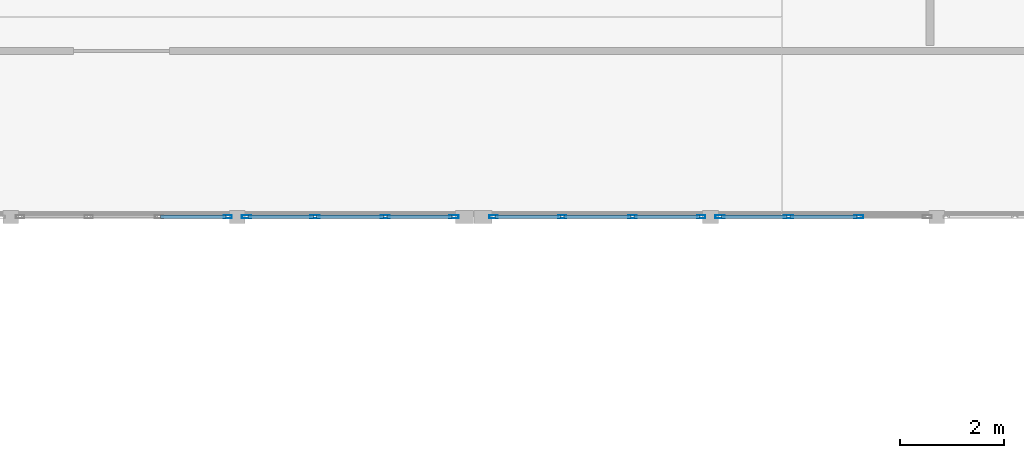
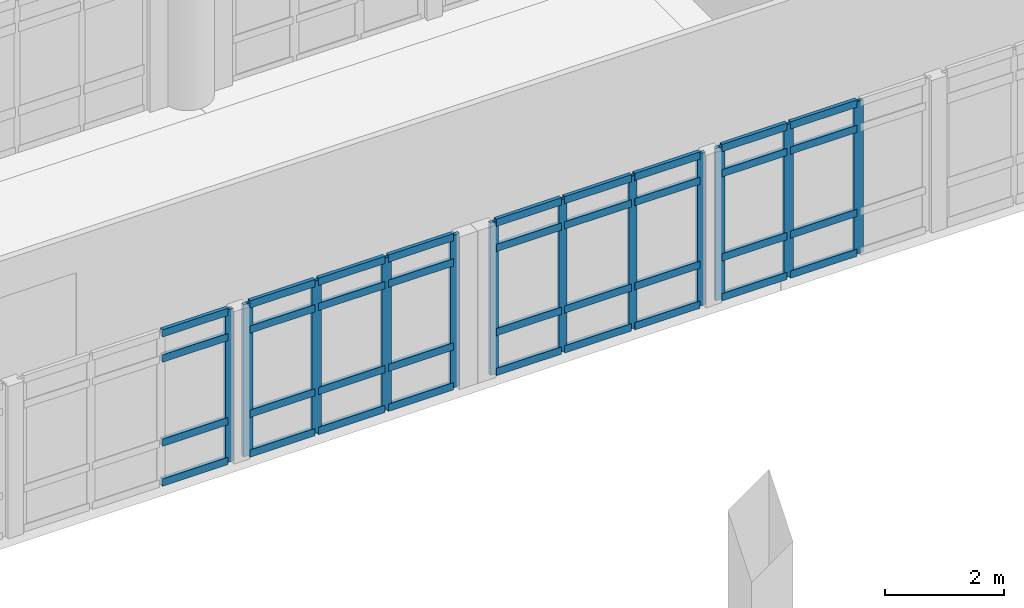
# One storey, part 13 of 37: 48 members, 4 elements without a shape of their own.
"""IFC4 building model written with IfcOpenShell, lengths in metres."""

import ifcopenshell
import ifcopenshell.guid

model = None  # the IFC model being written
_history = None  # IfcOwnerHistory: only IFC2X3 demands one
_inside = {}  # id of a spatial element -> (the spatial element, [elements in it])
_under = {}  # id of a project, library or spatial element -> (it, [spatial elements below it])
_declared = {}  # id of a project -> (the project, [libraries it declares])
_typed = {}  # id of a type object -> (the type object, [elements of that type])
_made_of = {}  # id of a material, layer set ... -> (it, [elements and type objects made of it])


def new_model(schema):
    """Start an empty IFC model of exactly this schema.

    Asked for "IFC4X3", IfcOpenShell would pick the latest addendum, in which some entities
    have other attributes; the version numbers below select the first issue.
    IFC2X3 requires an IfcOwnerHistory on every rooted entity: one is made here for all.
    """
    global model, _history
    if schema == "IFC4X3":
        model = ifcopenshell.file(schema_version=(4, 3, 0, 0))
    else:
        model = ifcopenshell.file(schema=schema)
    _inside.clear()
    _under.clear()
    _declared.clear()
    _typed.clear()
    _made_of.clear()
    _history = None
    if model.schema == "IFC2X3":
        org = make("IfcOrganization", Name="unknown")
        user = make(
            "IfcPersonAndOrganization",
            ThePerson=make("IfcPerson", FamilyName="unknown"),
            TheOrganization=org,
        )
        app = make(
            "IfcApplication",
            ApplicationDeveloper=org,
            Version="unknown",
            ApplicationFullName="unknown",
            ApplicationIdentifier="unknown",
        )
        _history = make(
            "IfcOwnerHistory",
            OwningUser=user,
            OwningApplication=app,
            ChangeAction="ADDED",
            CreationDate=0,
        )
    return model


def make(cls, **values):
    """One entity of the class cls with the attributes given. An attribute that is None is left unset."""
    return model.create_entity(
        cls, **{name: value for name, value in values.items() if value is not None}
    )


def rooted(cls, **values):
    """An entity with a GlobalId (a new one), such as an element, a storey or a relation."""
    return make(cls, GlobalId=ifcopenshell.guid.new(), OwnerHistory=_history, **values)


def si_unit(unit_type, name, prefix=None):
    """IfcSIUnit, for example si_unit("LENGTHUNIT", "METRE", prefix="MILLI")."""
    return make("IfcSIUnit", UnitType=unit_type, Prefix=prefix, Name=name)


def assignment(units):
    """IfcUnitAssignment: the units of a project."""
    return None if units is None else make("IfcUnitAssignment", Units=units)


def point(xyz):
    """IfcCartesianPoint."""
    return None if xyz is None else make("IfcCartesianPoint", Coordinates=xyz)


def direction(xyz):
    """IfcDirection."""
    return None if xyz is None else make("IfcDirection", DirectionRatios=xyz)


def frame(location, z_axis=None, x_axis=None):
    """IfcAxis2Placement3D, a coordinate frame: its origin and axes. An axis left out is left unset."""
    return make(
        "IfcAxis2Placement3D",
        Location=point(location),
        Axis=direction(z_axis),
        RefDirection=direction(x_axis),
    )


def frame_2d(location, x_axis=None):
    """IfcAxis2Placement2D, a coordinate frame in the plane: its origin and x axis."""
    return make(
        "IfcAxis2Placement2D", Location=point(location), RefDirection=direction(x_axis)
    )


def origin():
    """The frame at (0, 0, 0) with its axes left unset."""
    return frame((0.0, 0.0, 0.0))


def origin_2d():
    """The frame at (0, 0) in the plane with its x axis left unset."""
    return frame_2d((0.0, 0.0))


def place(relative_to, where):
    """IfcLocalPlacement: puts the frame where relative to a parent placement (None: the world)."""
    return make(
        "IfcLocalPlacement", PlacementRelTo=relative_to, RelativePlacement=where
    )


def context(
    kind, dimensions, precision=None, world=None, true_north=None, identifier=None
):
    """IfcGeometricRepresentationContext, for example the 3D "Model" context."""
    return make(
        "IfcGeometricRepresentationContext",
        ContextIdentifier=identifier,
        ContextType=kind,
        CoordinateSpaceDimension=dimensions,
        Precision=precision,
        WorldCoordinateSystem=world,
        TrueNorth=true_north,
    )


def subcontext(parent, identifier, kind, view, scale=None):
    """IfcGeometricRepresentationSubContext, for example "Body" below "Model"."""
    return make(
        "IfcGeometricRepresentationSubContext",
        ContextIdentifier=identifier,
        ContextType=kind,
        ParentContext=parent,
        TargetScale=scale,
        TargetView=view,
    )


def project(units=None, contexts=None):
    """IfcProject with its units and contexts."""
    return rooted(
        "IfcProject",
        Name="project",
        RepresentationContexts=contexts,
        UnitsInContext=assignment(units),
    )


def spatial(cls, under=None, at=None, **own):
    """A site, building, storey or space (cls), placed at a placement, below another one or the project."""
    s = rooted(cls, ObjectPlacement=at, **own)
    if under is not None:
        _under.setdefault(under.id(), (under, []))[1].append(s)
    return s


def profile(cls, at=None, kind="AREA", **sizes):
    """A parametric profile (cls). Its sizes go by their IFC names, for example OverallWidth=200.0."""
    return make(cls, ProfileType=kind, Position=at, **sizes)


def hollow_rectangle(**sizes):
    """IfcRectangleHollowProfileDef."""
    return profile("IfcRectangleHollowProfileDef", **sizes)


def extrude(swept, where, along, depth):
    """IfcExtrudedAreaSolid: the profile swept, set in the frame where, extruded along a direction by depth."""
    return make(
        "IfcExtrudedAreaSolid",
        SweptArea=swept,
        Position=where,
        ExtrudedDirection=direction(along),
        Depth=depth,
    )


def shape(context_of_items, identifier, shape_type, items):
    """IfcShapeRepresentation: the items that make up one representation, for example the "Body"."""
    return make(
        "IfcShapeRepresentation",
        ContextOfItems=context_of_items,
        RepresentationIdentifier=identifier,
        RepresentationType=shape_type,
        Items=items,
    )


def material(Name=None, Category=None):
    """IfcMaterial."""
    return make("IfcMaterial", Name=Name, Category=Category)


def layer(
    of_material, thickness, ventilated=None, Name=None, Category=None, Priority=None
):
    """IfcMaterialLayer: one layer of a wall or slab, of a material (None: an air gap)."""
    return make(
        "IfcMaterialLayer",
        Material=of_material,
        LayerThickness=thickness,
        IsVentilated=ventilated,
        Name=Name,
        Category=Category,
        Priority=Priority,
    )


def layer_set(layers, Name=None):
    """IfcMaterialLayerSet."""
    return make("IfcMaterialLayerSet", MaterialLayers=layers, LayerSetName=Name)


def material_profile(
    of_material, cross_section, Name=None, Category=None, Priority=None
):
    """IfcMaterialProfile: a cross section and its material."""
    return make(
        "IfcMaterialProfile",
        Name=Name,
        Material=of_material,
        Profile=cross_section,
        Priority=Priority,
        Category=Category,
    )


def profile_set(profiles, Name=None, composite=None):
    """IfcMaterialProfileSet."""
    return make(
        "IfcMaterialProfileSet",
        Name=Name,
        MaterialProfiles=profiles,
        CompositeProfile=composite,
    )


def made_of(thing, what):
    """Note that an element or type object is made of a material, layer set ...; save() writes the relation."""
    if what is not None:
        _made_of.setdefault(what.id(), (what, []))[1].append(thing)
    return thing


def type_object(cls, material=None, **own):
    """A type object (cls), such as IfcWallType, which elements share."""
    return made_of(rooted(cls, **own), material)


def element(
    cls,
    number,
    at=None,
    inside=None,
    cuts=None,
    type_object=None,
    material=None,
    context=None,
    identifier="Body",
    shape_type=None,
    held_by="IfcProductDefinitionShape",
    body=None,
    shapes=None,
    **own,
):
    """One element of the class cls, such as IfcWall. Its Tag is "e" and its number.

    at: its placement. inside: the storey or other place that contains it. cuts: it is an
    opening in that element (IfcRelVoidsElement). A single representation is given by context,
    identifier, shape_type and body (its items); several are given by shapes. held_by: the class
    of the entity that holds the representations. save() writes the other relations.
    """
    e = rooted(cls, Tag="e%d" % number, ObjectPlacement=at, **own)
    if body is not None:
        shapes = [shape(context, identifier, shape_type, body)]
    if shapes is not None:
        e.Representation = make(held_by, Representations=shapes)
    if inside is not None:
        _inside.setdefault(inside.id(), (inside, []))[1].append(e)
    if cuts is not None:
        rooted(
            "IfcRelVoidsElement", RelatingBuildingElement=cuts, RelatedOpeningElement=e
        )
    if type_object is not None:
        _typed.setdefault(type_object.id(), (type_object, []))[1].append(e)
    return made_of(e, material)


def aggregate(whole, parts):
    """IfcRelAggregates: a whole, such as a stair, and the parts it consists of."""
    return rooted("IfcRelAggregates", RelatingObject=whole, RelatedObjects=parts)


def save(model, path):
    """Write the relations noted so far, then the file.

    IfcRelAggregates (storeys below a building ...), IfcRelContainedInSpatialStructure (elements
    in a storey), IfcRelDefinesByType, IfcRelAssociatesMaterial and IfcRelDeclares: one each for
    every whole, place, type object, material and project.
    """
    for whole, parts in _under.values():
        aggregate(whole, parts)
    for where, things in _inside.values():
        rooted(
            "IfcRelContainedInSpatialStructure",
            RelatedElements=things,
            RelatingStructure=where,
        )
    for kind, things in _typed.values():
        rooted("IfcRelDefinesByType", RelatedObjects=things, RelatingType=kind)
    for what, things in _made_of.values():
        rooted("IfcRelAssociatesMaterial", RelatedObjects=things, RelatingMaterial=what)
    for by, libraries in _declared.values():
        rooted("IfcRelDeclares", RelatingContext=by, RelatedDefinitions=libraries)
    model.write(path)


model = new_model("IFC4")

# Units and contexts
model_context = context("Model", 3, precision=1e-05, world=origin(), true_north=direction((0.0, 1.0)))
body_context = subcontext(model_context, "Body", "Model", "MODEL_VIEW")
ifc_project = project(units=[si_unit("LENGTHUNIT", "METRE"), si_unit("AREAUNIT", "SQUARE_METRE"), si_unit("VOLUMEUNIT", "CUBIC_METRE"), si_unit("PLANEANGLEUNIT", "RADIAN"), si_unit("MASSUNIT", "GRAM", prefix="KILO")], contexts=[model_context])

# Site, building, storey
site_placement = place(None, origin())
site = spatial("IfcSite", under=ifc_project, at=site_placement, CompositionType="ELEMENT")
building_placement = place(site_placement, origin())
building = spatial("IfcBuilding", under=site, at=building_placement, Name="Fikremerkos Civic Library", CompositionType="ELEMENT")
storey_placement = place(building_placement, frame((0.0, 0.0, 23.39990234375)))
storey = spatial("IfcBuildingStorey", under=building, at=storey_placement, Name="L05", CompositionType="ELEMENT", Elevation=23.39990234375)

# Curtain wall, members
ifc_material = material(Name="Anodized aluminium Frame", Category="aluminium")
ifc_layer_1 = layer(ifc_material, 0.159912109375, Name="Anodized aluminium Frame")
ifc_layer_set_1 = layer_set([ifc_layer_1], Name="Anodized aluminium Frame")
curtain_wall_type_1 = type_object("IfcCurtainWallType", Name="Unitised curtain wall CW-17 4600x3600", PredefinedType="USERDEFINED", material=ifc_layer_set_1)
curtain_wall_1_placement = place(storey_placement, origin())
curtain_wall_1 = element("IfcCurtainWall", 1, at=curtain_wall_1_placement, inside=storey, type_object=curtain_wall_type_1, Name="Unitised curtain wall CW-17 L05 #287", ObjectType="UNITISED CURTAIN WALL", PredefinedType="USERDEFINED")
ifc_material_profile_1 = material_profile(ifc_material, hollow_rectangle(XDim=0.06494140625, YDim=0.179931640625, WallThickness=0.00439453125, at=origin_2d()), Name="ALU 180x65x4.5")
ifc_profile_set_1 = profile_set([ifc_material_profile_1], Name="Anodized aluminium Frame")
member_type_1 = type_object("IfcMemberType", Name="Curtain mullion CWM-01 ALU 180x65x4.5", PredefinedType="MULLION", material=ifc_profile_set_1)
member_1_placement = place(storey_placement, frame((80.62744140625, 21.60009765625, 0.0), z_axis=(0.0, 0.0, 1.0), x_axis=(0.0, -1.0, 0.0)))
member_1 = element("IfcMember", 2, at=member_1_placement, type_object=member_type_1, Name="CW-17 mullion 2", PredefinedType="MULLION", context=body_context, shape_type="SweptSolid", body=[
    extrude(hollow_rectangle(XDim=0.06494140625, YDim=0.179931640625, WallThickness=0.00439453125, at=origin_2d()), origin(), (0.0, 0.0, 1.0), 3.1201171875),
])
member_2_placement = place(storey_placement, frame((79.2724609375, 21.60009765625, 0.0), z_axis=(0.0, 0.0, 1.0), x_axis=(0.0, -1.0, 0.0)))
member_2 = element("IfcMember", 3, at=member_2_placement, type_object=member_type_1, Name="CW-17 mullion 3", PredefinedType="MULLION", context=body_context, shape_type="SweptSolid", body=[
    extrude(hollow_rectangle(XDim=0.06494140625, YDim=0.179931640625, WallThickness=0.00439453125, at=origin_2d()), origin(), (0.0, 0.0, 1.0), 3.1201171875),
])
member_3_placement = place(storey_placement, frame((77.949951171875, 21.60009765625, 0.0), z_axis=(0.0, 0.0, 1.0), x_axis=(0.0, -1.0, 0.0)))
member_3 = element("IfcMember", 4, at=member_3_placement, type_object=member_type_1, Name="CW-17 mullion 4", PredefinedType="MULLION", context=body_context, shape_type="SweptSolid", body=[
    extrude(hollow_rectangle(XDim=0.06494140625, YDim=0.179931640625, WallThickness=0.00439453125, at=origin_2d()), origin(), (0.0, 0.0, 1.0), 3.1201171875),
])

ifc_layer_2 = layer(ifc_material, 0.159912109375, Name="Anodized aluminium Frame")
ifc_layer_set_2 = layer_set([ifc_layer_2], Name="Anodized aluminium Frame")
curtain_wall_type_2 = type_object("IfcCurtainWallType", Name="Unitised curtain wall CW-01 3600x3600", PredefinedType="USERDEFINED", material=ifc_layer_set_2)
curtain_wall_2_placement = place(storey_placement, origin())
curtain_wall_2 = element("IfcCurtainWall", 5, at=curtain_wall_2_placement, inside=storey, type_object=curtain_wall_type_2, Name="Unitised curtain wall CW-01 L05 #289", ObjectType="UNITISED CURTAIN WALL", PredefinedType="USERDEFINED")
member_4_placement = place(storey_placement, frame((72.8154296875, 21.60009765625, 0.0), z_axis=(0.0, 0.0, 1.0), x_axis=(0.0, -1.0, 0.0)))
member_4 = element("IfcMember", 6, at=member_4_placement, type_object=member_type_1, Name="CW-01 mullion 1", PredefinedType="MULLION", context=body_context, shape_type="SweptSolid", body=[
    extrude(hollow_rectangle(XDim=0.06494140625, YDim=0.179931640625, WallThickness=0.00439453125, at=origin_2d()), origin(), (0.0, 0.0, 1.0), 3.1201171875),
])
member_5_placement = place(storey_placement, frame((71.492919921875, 21.60009765625, 0.0), z_axis=(0.0, 0.0, 1.0), x_axis=(0.0, -1.0, 0.0)))
member_5 = element("IfcMember", 7, at=member_5_placement, type_object=member_type_1, Name="CW-01 mullion 2", PredefinedType="MULLION", context=body_context, shape_type="SweptSolid", body=[
    extrude(hollow_rectangle(XDim=0.06494140625, YDim=0.179931640625, WallThickness=0.00439453125, at=origin_2d()), origin(), (0.0, 0.0, 1.0), 3.1201171875),
])
member_6_placement = place(storey_placement, frame((70.1376953125, 21.60009765625, 0.0), z_axis=(0.0, 0.0, 1.0), x_axis=(0.0, -1.0, 0.0)))
member_6 = element("IfcMember", 8, at=member_6_placement, type_object=member_type_1, Name="CW-01 mullion 3", PredefinedType="MULLION", context=body_context, shape_type="SweptSolid", body=[
    extrude(hollow_rectangle(XDim=0.06494140625, YDim=0.179931640625, WallThickness=0.00439453125, at=origin_2d()), origin(), (0.0, 0.0, 1.0), 3.1201171875),
])
member_7_placement = place(storey_placement, frame((68.815185546875, 21.60009765625, 0.0), z_axis=(0.0, 0.0, 1.0), x_axis=(0.0, -1.0, 0.0)))
member_7 = element("IfcMember", 9, at=member_7_placement, type_object=member_type_1, Name="CW-01 mullion 4", PredefinedType="MULLION", context=body_context, shape_type="SweptSolid", body=[
    extrude(hollow_rectangle(XDim=0.06494140625, YDim=0.179931640625, WallThickness=0.00439453125, at=origin_2d()), origin(), (0.0, 0.0, 1.0), 3.1201171875),
])

ifc_layer_3 = layer(ifc_material, 0.159912109375, Name="Anodized aluminium Frame")
ifc_layer_set_3 = layer_set([ifc_layer_3], Name="Anodized aluminium Frame")
curtain_wall_type_3 = type_object("IfcCurtainWallType", Name="Unitised curtain wall CW-18 2700x3400", PredefinedType="USERDEFINED", material=ifc_layer_set_3)
curtain_wall_3_placement = place(storey_placement, origin())
curtain_wall_3 = element("IfcCurtainWall", 10, at=curtain_wall_3_placement, inside=storey, type_object=curtain_wall_type_3, Name="Unitised curtain wall CW-18 L05 #288", ObjectType="UNITISED CURTAIN WALL", PredefinedType="USERDEFINED")
ifc_material_profile_2 = material_profile(ifc_material, hollow_rectangle(XDim=0.06005859375, YDim=0.159912109375, WallThickness=0.00390625, at=origin_2d()), Name="ALU 160x60x4")
ifc_profile_set_2 = profile_set([ifc_material_profile_2], Name="Anodized aluminium Frame")
member_type_2 = type_object("IfcMemberType", Name="Curtain mullion CWM-02 ALU 160x60x4", PredefinedType="MULLION", material=ifc_profile_set_2)
member_8_placement = place(storey_placement, frame((77.58740234375, 21.60009765625, 0.0), z_axis=(0.0, 0.0, 1.0), x_axis=(0.0, -1.0, 0.0)))
member_8 = element("IfcMember", 11, at=member_8_placement, type_object=member_type_2, Name="CW-18 mullion 1", PredefinedType="MULLION", context=body_context, shape_type="SweptSolid", body=[
    extrude(hollow_rectangle(XDim=0.06005859375, YDim=0.159912109375, WallThickness=0.00390625, at=origin_2d()), origin(), (0.0, 0.0, 1.0), 3.1201171875),
])
member_9_placement = place(storey_placement, frame((76.26220703125, 21.60009765625, 0.0), z_axis=(0.0, 0.0, 1.0), x_axis=(0.0, -1.0, 0.0)))
member_9 = element("IfcMember", 12, at=member_9_placement, type_object=member_type_2, Name="CW-18 mullion 2", PredefinedType="MULLION", context=body_context, shape_type="SweptSolid", body=[
    extrude(hollow_rectangle(XDim=0.06005859375, YDim=0.159912109375, WallThickness=0.00390625, at=origin_2d()), origin(), (0.0, 0.0, 1.0), 3.1201171875),
])
member_10_placement = place(storey_placement, frame((74.9072265625, 21.60009765625, 0.0), z_axis=(0.0, 0.0, 1.0), x_axis=(0.0, -1.0, 0.0)))
member_10 = element("IfcMember", 13, at=member_10_placement, type_object=member_type_2, Name="CW-18 mullion 3", PredefinedType="MULLION", context=body_context, shape_type="SweptSolid", body=[
    extrude(hollow_rectangle(XDim=0.06005859375, YDim=0.159912109375, WallThickness=0.00390625, at=origin_2d()), origin(), (0.0, 0.0, 1.0), 3.1201171875),
])
member_11_placement = place(storey_placement, frame((73.58203125, 21.60009765625, 0.0), z_axis=(0.0, 0.0, 1.0), x_axis=(0.0, -1.0, 0.0)))
member_11 = element("IfcMember", 14, at=member_11_placement, type_object=member_type_2, Name="CW-18 mullion 4", PredefinedType="MULLION", context=body_context, shape_type="SweptSolid", body=[
    extrude(hollow_rectangle(XDim=0.06005859375, YDim=0.159912109375, WallThickness=0.00390625, at=origin_2d()), origin(), (0.0, 0.0, 1.0), 3.1201171875),
])

# Curtain wall, member
ifc_layer_4 = layer(ifc_material, 0.159912109375, Name="Anodized aluminium Frame")
ifc_layer_set_4 = layer_set([ifc_layer_4], Name="Anodized aluminium Frame")
curtain_wall_type_4 = type_object("IfcCurtainWallType", Name="Unitised curtain wall CW-02 3900x3600", PredefinedType="USERDEFINED", material=ifc_layer_set_4)
curtain_wall_4_placement = place(storey_placement, origin())
curtain_wall_4 = element("IfcCurtainWall", 15, at=curtain_wall_4_placement, inside=storey, type_object=curtain_wall_type_4, Name="Unitised curtain wall CW-02 L05 #290", ObjectType="UNITISED CURTAIN WALL", PredefinedType="USERDEFINED")
member_12_placement = place(storey_placement, frame((68.45263671875, 21.60009765625, 0.0), z_axis=(0.0, 0.0, 1.0), x_axis=(0.0, -1.0, 0.0)))
member_12 = element("IfcMember", 16, at=member_12_placement, type_object=member_type_2, Name="CW-02 mullion 1", PredefinedType="MULLION", context=body_context, shape_type="SweptSolid", body=[
    extrude(hollow_rectangle(XDim=0.06005859375, YDim=0.159912109375, WallThickness=0.00390625, at=origin_2d()), origin(), (0.0, 0.0, 1.0), 3.1201171875),
])

# Member
ifc_material_profile_3 = material_profile(ifc_material, hollow_rectangle(XDim=0.070068359375, YDim=0.14990234375, WallThickness=0.00439453125, at=origin_2d()), Name="ALU 150x70x4.5")
ifc_profile_set_3 = profile_set([ifc_material_profile_3], Name="Anodized aluminium Frame")
member_type_3 = type_object("IfcMemberType", Name="Curtain transom CWT-01 ALU 150x70x4.5", PredefinedType="USERDEFINED", material=ifc_profile_set_3)
member_13_placement = place(storey_placement, frame((80.594970703125, 21.60009765625, 0.03515625), z_axis=(-1.0, 0.0, 0.0), x_axis=(0.0, -1.0, 0.0)))
member_13 = element("IfcMember", 17, at=member_13_placement, type_object=member_type_3, Name="CW-17 transom 2.1", ObjectType="TRANSOM", PredefinedType="USERDEFINED", context=body_context, shape_type="SweptSolid", body=[
    extrude(hollow_rectangle(XDim=0.070068359375, YDim=0.14990234375, WallThickness=0.00439453125, at=origin_2d()), origin(), (0.0, 0.0, 1.0), 1.2900390625),
])

member_14_placement = place(storey_placement, frame((80.594970703125, 21.60009765625, 0.85009765625), z_axis=(-1.0, 0.0, 0.0), x_axis=(0.0, -1.0, 0.0)))
member_14 = element("IfcMember", 18, at=member_14_placement, type_object=member_type_3, Name="CW-17 transom 2.2", ObjectType="TRANSOM", PredefinedType="USERDEFINED", context=body_context, shape_type="SweptSolid", body=[
    extrude(hollow_rectangle(XDim=0.070068359375, YDim=0.14990234375, WallThickness=0.00439453125, at=origin_2d()), origin(), (0.0, 0.0, 1.0), 1.2900390625),
])

member_15_placement = place(storey_placement, frame((80.594970703125, 21.60009765625, 2.570068359375), z_axis=(-1.0, 0.0, 0.0), x_axis=(0.0, -1.0, 0.0)))
member_15 = element("IfcMember", 19, at=member_15_placement, type_object=member_type_3, Name="CW-17 transom 2.3", ObjectType="TRANSOM", PredefinedType="USERDEFINED", context=body_context, shape_type="SweptSolid", body=[
    extrude(hollow_rectangle(XDim=0.070068359375, YDim=0.14990234375, WallThickness=0.00439453125, at=origin_2d()), origin(), (0.0, 0.0, 1.0), 1.2900390625),
])

member_16_placement = place(storey_placement, frame((80.594970703125, 21.60009765625, 3.085205078125), z_axis=(-1.0, 0.0, 0.0), x_axis=(0.0, -1.0, 0.0)))
member_16 = element("IfcMember", 20, at=member_16_placement, type_object=member_type_3, Name="CW-17 transom 2.4", ObjectType="TRANSOM", PredefinedType="USERDEFINED", context=body_context, shape_type="SweptSolid", body=[
    extrude(hollow_rectangle(XDim=0.070068359375, YDim=0.14990234375, WallThickness=0.00439453125, at=origin_2d()), origin(), (0.0, 0.0, 1.0), 1.2900390625),
])

member_17_placement = place(storey_placement, frame((79.239990234375, 21.60009765625, 0.03515625), z_axis=(-1.0, 0.0, 0.0), x_axis=(0.0, -1.0, 0.0)))
member_17 = element("IfcMember", 21, at=member_17_placement, type_object=member_type_3, Name="CW-17 transom 3.1", ObjectType="TRANSOM", PredefinedType="USERDEFINED", context=body_context, shape_type="SweptSolid", body=[
    extrude(hollow_rectangle(XDim=0.070068359375, YDim=0.14990234375, WallThickness=0.00439453125, at=origin_2d()), origin(), (0.0, 0.0, 1.0), 1.257568359375),
])

member_18_placement = place(storey_placement, frame((79.239990234375, 21.60009765625, 0.85009765625), z_axis=(-1.0, 0.0, 0.0), x_axis=(0.0, -1.0, 0.0)))
member_18 = element("IfcMember", 22, at=member_18_placement, type_object=member_type_3, Name="CW-17 transom 3.2", ObjectType="TRANSOM", PredefinedType="USERDEFINED", context=body_context, shape_type="SweptSolid", body=[
    extrude(hollow_rectangle(XDim=0.070068359375, YDim=0.14990234375, WallThickness=0.00439453125, at=origin_2d()), origin(), (0.0, 0.0, 1.0), 1.257568359375),
])

member_19_placement = place(storey_placement, frame((79.239990234375, 21.60009765625, 2.570068359375), z_axis=(-1.0, 0.0, 0.0), x_axis=(0.0, -1.0, 0.0)))
member_19 = element("IfcMember", 23, at=member_19_placement, type_object=member_type_3, Name="CW-17 transom 3.3", ObjectType="TRANSOM", PredefinedType="USERDEFINED", context=body_context, shape_type="SweptSolid", body=[
    extrude(hollow_rectangle(XDim=0.070068359375, YDim=0.14990234375, WallThickness=0.00439453125, at=origin_2d()), origin(), (0.0, 0.0, 1.0), 1.257568359375),
])

member_20_placement = place(storey_placement, frame((79.239990234375, 21.60009765625, 3.085205078125), z_axis=(-1.0, 0.0, 0.0), x_axis=(0.0, -1.0, 0.0)))
member_20 = element("IfcMember", 24, at=member_20_placement, type_object=member_type_3, Name="CW-17 transom 3.4", ObjectType="TRANSOM", PredefinedType="USERDEFINED", context=body_context, shape_type="SweptSolid", body=[
    extrude(hollow_rectangle(XDim=0.070068359375, YDim=0.14990234375, WallThickness=0.00439453125, at=origin_2d()), origin(), (0.0, 0.0, 1.0), 1.257568359375),
])

aggregate(curtain_wall_1, [member_1, member_2, member_3, member_13, member_14, member_15, member_16, member_17, member_18, member_19, member_20])

member_21_placement = place(storey_placement, frame((77.557373046875, 21.60009765625, 0.03515625), z_axis=(-1.0, 0.0, 0.0), x_axis=(0.0, -1.0, 0.0)))
member_21 = element("IfcMember", 25, at=member_21_placement, type_object=member_type_3, Name="CW-18 transom 1.1", ObjectType="TRANSOM", PredefinedType="USERDEFINED", context=body_context, shape_type="SweptSolid", body=[
    extrude(hollow_rectangle(XDim=0.070068359375, YDim=0.14990234375, WallThickness=0.00439453125, at=origin_2d()), origin(), (0.0, 0.0, 1.0), 1.26513671875),
])

member_22_placement = place(storey_placement, frame((77.557373046875, 21.60009765625, 0.85009765625), z_axis=(-1.0, 0.0, 0.0), x_axis=(0.0, -1.0, 0.0)))
member_22 = element("IfcMember", 26, at=member_22_placement, type_object=member_type_3, Name="CW-18 transom 1.2", ObjectType="TRANSOM", PredefinedType="USERDEFINED", context=body_context, shape_type="SweptSolid", body=[
    extrude(hollow_rectangle(XDim=0.070068359375, YDim=0.14990234375, WallThickness=0.00439453125, at=origin_2d()), origin(), (0.0, 0.0, 1.0), 1.26513671875),
])

member_23_placement = place(storey_placement, frame((77.557373046875, 21.60009765625, 2.570068359375), z_axis=(-1.0, 0.0, 0.0), x_axis=(0.0, -1.0, 0.0)))
member_23 = element("IfcMember", 27, at=member_23_placement, type_object=member_type_3, Name="CW-18 transom 1.3", ObjectType="TRANSOM", PredefinedType="USERDEFINED", context=body_context, shape_type="SweptSolid", body=[
    extrude(hollow_rectangle(XDim=0.070068359375, YDim=0.14990234375, WallThickness=0.00439453125, at=origin_2d()), origin(), (0.0, 0.0, 1.0), 1.26513671875),
])

member_24_placement = place(storey_placement, frame((77.557373046875, 21.60009765625, 3.085205078125), z_axis=(-1.0, 0.0, 0.0), x_axis=(0.0, -1.0, 0.0)))
member_24 = element("IfcMember", 28, at=member_24_placement, type_object=member_type_3, Name="CW-18 transom 1.4", ObjectType="TRANSOM", PredefinedType="USERDEFINED", context=body_context, shape_type="SweptSolid", body=[
    extrude(hollow_rectangle(XDim=0.070068359375, YDim=0.14990234375, WallThickness=0.00439453125, at=origin_2d()), origin(), (0.0, 0.0, 1.0), 1.26513671875),
])

member_25_placement = place(storey_placement, frame((76.232177734375, 21.60009765625, 0.03515625), z_axis=(-1.0, 0.0, 0.0), x_axis=(0.0, -1.0, 0.0)))
member_25 = element("IfcMember", 29, at=member_25_placement, type_object=member_type_3, Name="CW-18 transom 2.1", ObjectType="TRANSOM", PredefinedType="USERDEFINED", context=body_context, shape_type="SweptSolid", body=[
    extrude(hollow_rectangle(XDim=0.070068359375, YDim=0.14990234375, WallThickness=0.00439453125, at=origin_2d()), origin(), (0.0, 0.0, 1.0), 1.295166015625),
])

member_26_placement = place(storey_placement, frame((76.232177734375, 21.60009765625, 0.85009765625), z_axis=(-1.0, 0.0, 0.0), x_axis=(0.0, -1.0, 0.0)))
member_26 = element("IfcMember", 30, at=member_26_placement, type_object=member_type_3, Name="CW-18 transom 2.2", ObjectType="TRANSOM", PredefinedType="USERDEFINED", context=body_context, shape_type="SweptSolid", body=[
    extrude(hollow_rectangle(XDim=0.070068359375, YDim=0.14990234375, WallThickness=0.00439453125, at=origin_2d()), origin(), (0.0, 0.0, 1.0), 1.295166015625),
])

member_27_placement = place(storey_placement, frame((76.232177734375, 21.60009765625, 2.570068359375), z_axis=(-1.0, 0.0, 0.0), x_axis=(0.0, -1.0, 0.0)))
member_27 = element("IfcMember", 31, at=member_27_placement, type_object=member_type_3, Name="CW-18 transom 2.3", ObjectType="TRANSOM", PredefinedType="USERDEFINED", context=body_context, shape_type="SweptSolid", body=[
    extrude(hollow_rectangle(XDim=0.070068359375, YDim=0.14990234375, WallThickness=0.00439453125, at=origin_2d()), origin(), (0.0, 0.0, 1.0), 1.295166015625),
])

member_28_placement = place(storey_placement, frame((76.232177734375, 21.60009765625, 3.085205078125), z_axis=(-1.0, 0.0, 0.0), x_axis=(0.0, -1.0, 0.0)))
member_28 = element("IfcMember", 32, at=member_28_placement, type_object=member_type_3, Name="CW-18 transom 2.4", ObjectType="TRANSOM", PredefinedType="USERDEFINED", context=body_context, shape_type="SweptSolid", body=[
    extrude(hollow_rectangle(XDim=0.070068359375, YDim=0.14990234375, WallThickness=0.00439453125, at=origin_2d()), origin(), (0.0, 0.0, 1.0), 1.295166015625),
])

member_29_placement = place(storey_placement, frame((74.877197265625, 21.60009765625, 0.03515625), z_axis=(-1.0, 0.0, 0.0), x_axis=(0.0, -1.0, 0.0)))
member_29 = element("IfcMember", 33, at=member_29_placement, type_object=member_type_3, Name="CW-18 transom 3.1", ObjectType="TRANSOM", PredefinedType="USERDEFINED", context=body_context, shape_type="SweptSolid", body=[
    extrude(hollow_rectangle(XDim=0.070068359375, YDim=0.14990234375, WallThickness=0.00439453125, at=origin_2d()), origin(), (0.0, 0.0, 1.0), 1.26513671875),
])

member_30_placement = place(storey_placement, frame((74.877197265625, 21.60009765625, 0.85009765625), z_axis=(-1.0, 0.0, 0.0), x_axis=(0.0, -1.0, 0.0)))
member_30 = element("IfcMember", 34, at=member_30_placement, type_object=member_type_3, Name="CW-18 transom 3.2", ObjectType="TRANSOM", PredefinedType="USERDEFINED", context=body_context, shape_type="SweptSolid", body=[
    extrude(hollow_rectangle(XDim=0.070068359375, YDim=0.14990234375, WallThickness=0.00439453125, at=origin_2d()), origin(), (0.0, 0.0, 1.0), 1.26513671875),
])

member_31_placement = place(storey_placement, frame((74.877197265625, 21.60009765625, 2.570068359375), z_axis=(-1.0, 0.0, 0.0), x_axis=(0.0, -1.0, 0.0)))
member_31 = element("IfcMember", 35, at=member_31_placement, type_object=member_type_3, Name="CW-18 transom 3.3", ObjectType="TRANSOM", PredefinedType="USERDEFINED", context=body_context, shape_type="SweptSolid", body=[
    extrude(hollow_rectangle(XDim=0.070068359375, YDim=0.14990234375, WallThickness=0.00439453125, at=origin_2d()), origin(), (0.0, 0.0, 1.0), 1.26513671875),
])

member_32_placement = place(storey_placement, frame((74.877197265625, 21.60009765625, 3.085205078125), z_axis=(-1.0, 0.0, 0.0), x_axis=(0.0, -1.0, 0.0)))
member_32 = element("IfcMember", 36, at=member_32_placement, type_object=member_type_3, Name="CW-18 transom 3.4", ObjectType="TRANSOM", PredefinedType="USERDEFINED", context=body_context, shape_type="SweptSolid", body=[
    extrude(hollow_rectangle(XDim=0.070068359375, YDim=0.14990234375, WallThickness=0.00439453125, at=origin_2d()), origin(), (0.0, 0.0, 1.0), 1.26513671875),
])

aggregate(curtain_wall_3, [member_8, member_9, member_10, member_11, member_21, member_22, member_23, member_24, member_25, member_26, member_27, member_28, member_29, member_30, member_31, member_32])

member_33_placement = place(storey_placement, frame((72.782958984375, 21.60009765625, 0.03515625), z_axis=(-1.0, 0.0, 0.0), x_axis=(0.0, -1.0, 0.0)))
member_33 = element("IfcMember", 37, at=member_33_placement, type_object=member_type_3, Name="CW-01 transom 1.1", ObjectType="TRANSOM", PredefinedType="USERDEFINED", context=body_context, shape_type="SweptSolid", body=[
    extrude(hollow_rectangle(XDim=0.070068359375, YDim=0.14990234375, WallThickness=0.00439453125, at=origin_2d()), origin(), (0.0, 0.0, 1.0), 1.257568359375),
])

member_34_placement = place(storey_placement, frame((72.782958984375, 21.60009765625, 0.85009765625), z_axis=(-1.0, 0.0, 0.0), x_axis=(0.0, -1.0, 0.0)))
member_34 = element("IfcMember", 38, at=member_34_placement, type_object=member_type_3, Name="CW-01 transom 1.2", ObjectType="TRANSOM", PredefinedType="USERDEFINED", context=body_context, shape_type="SweptSolid", body=[
    extrude(hollow_rectangle(XDim=0.070068359375, YDim=0.14990234375, WallThickness=0.00439453125, at=origin_2d()), origin(), (0.0, 0.0, 1.0), 1.257568359375),
])

member_35_placement = place(storey_placement, frame((72.782958984375, 21.60009765625, 2.570068359375), z_axis=(-1.0, 0.0, 0.0), x_axis=(0.0, -1.0, 0.0)))
member_35 = element("IfcMember", 39, at=member_35_placement, type_object=member_type_3, Name="CW-01 transom 1.3", ObjectType="TRANSOM", PredefinedType="USERDEFINED", context=body_context, shape_type="SweptSolid", body=[
    extrude(hollow_rectangle(XDim=0.070068359375, YDim=0.14990234375, WallThickness=0.00439453125, at=origin_2d()), origin(), (0.0, 0.0, 1.0), 1.257568359375),
])

member_36_placement = place(storey_placement, frame((72.782958984375, 21.60009765625, 3.085205078125), z_axis=(-1.0, 0.0, 0.0), x_axis=(0.0, -1.0, 0.0)))
member_36 = element("IfcMember", 40, at=member_36_placement, type_object=member_type_3, Name="CW-01 transom 1.4", ObjectType="TRANSOM", PredefinedType="USERDEFINED", context=body_context, shape_type="SweptSolid", body=[
    extrude(hollow_rectangle(XDim=0.070068359375, YDim=0.14990234375, WallThickness=0.00439453125, at=origin_2d()), origin(), (0.0, 0.0, 1.0), 1.257568359375),
])

member_37_placement = place(storey_placement, frame((71.46044921875, 21.60009765625, 0.03515625), z_axis=(-1.0, 0.0, 0.0), x_axis=(0.0, -1.0, 0.0)))
member_37 = element("IfcMember", 41, at=member_37_placement, type_object=member_type_3, Name="CW-01 transom 2.1", ObjectType="TRANSOM", PredefinedType="USERDEFINED", context=body_context, shape_type="SweptSolid", body=[
    extrude(hollow_rectangle(XDim=0.070068359375, YDim=0.14990234375, WallThickness=0.00439453125, at=origin_2d()), origin(), (0.0, 0.0, 1.0), 1.290283203125),
])

member_38_placement = place(storey_placement, frame((71.46044921875, 21.60009765625, 0.85009765625), z_axis=(-1.0, 0.0, 0.0), x_axis=(0.0, -1.0, 0.0)))
member_38 = element("IfcMember", 42, at=member_38_placement, type_object=member_type_3, Name="CW-01 transom 2.2", ObjectType="TRANSOM", PredefinedType="USERDEFINED", context=body_context, shape_type="SweptSolid", body=[
    extrude(hollow_rectangle(XDim=0.070068359375, YDim=0.14990234375, WallThickness=0.00439453125, at=origin_2d()), origin(), (0.0, 0.0, 1.0), 1.290283203125),
])

member_39_placement = place(storey_placement, frame((71.46044921875, 21.60009765625, 2.570068359375), z_axis=(-1.0, 0.0, 0.0), x_axis=(0.0, -1.0, 0.0)))
member_39 = element("IfcMember", 43, at=member_39_placement, type_object=member_type_3, Name="CW-01 transom 2.3", ObjectType="TRANSOM", PredefinedType="USERDEFINED", context=body_context, shape_type="SweptSolid", body=[
    extrude(hollow_rectangle(XDim=0.070068359375, YDim=0.14990234375, WallThickness=0.00439453125, at=origin_2d()), origin(), (0.0, 0.0, 1.0), 1.290283203125),
])

member_40_placement = place(storey_placement, frame((71.46044921875, 21.60009765625, 3.085205078125), z_axis=(-1.0, 0.0, 0.0), x_axis=(0.0, -1.0, 0.0)))
member_40 = element("IfcMember", 44, at=member_40_placement, type_object=member_type_3, Name="CW-01 transom 2.4", ObjectType="TRANSOM", PredefinedType="USERDEFINED", context=body_context, shape_type="SweptSolid", body=[
    extrude(hollow_rectangle(XDim=0.070068359375, YDim=0.14990234375, WallThickness=0.00439453125, at=origin_2d()), origin(), (0.0, 0.0, 1.0), 1.290283203125),
])

member_41_placement = place(storey_placement, frame((70.105224609375, 21.60009765625, 0.03515625), z_axis=(-1.0, 0.0, 0.0), x_axis=(0.0, -1.0, 0.0)))
member_41 = element("IfcMember", 45, at=member_41_placement, type_object=member_type_3, Name="CW-01 transom 3.1", ObjectType="TRANSOM", PredefinedType="USERDEFINED", context=body_context, shape_type="SweptSolid", body=[
    extrude(hollow_rectangle(XDim=0.070068359375, YDim=0.14990234375, WallThickness=0.00439453125, at=origin_2d()), origin(), (0.0, 0.0, 1.0), 1.257568359375),
])

member_42_placement = place(storey_placement, frame((70.105224609375, 21.60009765625, 0.85009765625), z_axis=(-1.0, 0.0, 0.0), x_axis=(0.0, -1.0, 0.0)))
member_42 = element("IfcMember", 46, at=member_42_placement, type_object=member_type_3, Name="CW-01 transom 3.2", ObjectType="TRANSOM", PredefinedType="USERDEFINED", context=body_context, shape_type="SweptSolid", body=[
    extrude(hollow_rectangle(XDim=0.070068359375, YDim=0.14990234375, WallThickness=0.00439453125, at=origin_2d()), origin(), (0.0, 0.0, 1.0), 1.257568359375),
])

member_43_placement = place(storey_placement, frame((70.105224609375, 21.60009765625, 2.570068359375), z_axis=(-1.0, 0.0, 0.0), x_axis=(0.0, -1.0, 0.0)))
member_43 = element("IfcMember", 47, at=member_43_placement, type_object=member_type_3, Name="CW-01 transom 3.3", ObjectType="TRANSOM", PredefinedType="USERDEFINED", context=body_context, shape_type="SweptSolid", body=[
    extrude(hollow_rectangle(XDim=0.070068359375, YDim=0.14990234375, WallThickness=0.00439453125, at=origin_2d()), origin(), (0.0, 0.0, 1.0), 1.257568359375),
])

member_44_placement = place(storey_placement, frame((70.105224609375, 21.60009765625, 3.085205078125), z_axis=(-1.0, 0.0, 0.0), x_axis=(0.0, -1.0, 0.0)))
member_44 = element("IfcMember", 48, at=member_44_placement, type_object=member_type_3, Name="CW-01 transom 3.4", ObjectType="TRANSOM", PredefinedType="USERDEFINED", context=body_context, shape_type="SweptSolid", body=[
    extrude(hollow_rectangle(XDim=0.070068359375, YDim=0.14990234375, WallThickness=0.00439453125, at=origin_2d()), origin(), (0.0, 0.0, 1.0), 1.257568359375),
])

aggregate(curtain_wall_2, [member_4, member_5, member_6, member_7, member_33, member_34, member_35, member_36, member_37, member_38, member_39, member_40, member_41, member_42, member_43, member_44])

member_45_placement = place(storey_placement, frame((68.422607421875, 21.60009765625, 0.03515625), z_axis=(-1.0, 0.0, 0.0), x_axis=(0.0, -1.0, 0.0)))
member_45 = element("IfcMember", 49, at=member_45_placement, type_object=member_type_3, Name="CW-02 transom 1.1", ObjectType="TRANSOM", PredefinedType="USERDEFINED", context=body_context, shape_type="SweptSolid", body=[
    extrude(hollow_rectangle(XDim=0.070068359375, YDim=0.14990234375, WallThickness=0.00439453125, at=origin_2d()), origin(), (0.0, 0.0, 1.0), 1.26513671875),
])

member_46_placement = place(storey_placement, frame((68.422607421875, 21.60009765625, 0.85009765625), z_axis=(-1.0, 0.0, 0.0), x_axis=(0.0, -1.0, 0.0)))
member_46 = element("IfcMember", 50, at=member_46_placement, type_object=member_type_3, Name="CW-02 transom 1.2", ObjectType="TRANSOM", PredefinedType="USERDEFINED", context=body_context, shape_type="SweptSolid", body=[
    extrude(hollow_rectangle(XDim=0.070068359375, YDim=0.14990234375, WallThickness=0.00439453125, at=origin_2d()), origin(), (0.0, 0.0, 1.0), 1.26513671875),
])

member_47_placement = place(storey_placement, frame((68.422607421875, 21.60009765625, 2.570068359375), z_axis=(-1.0, 0.0, 0.0), x_axis=(0.0, -1.0, 0.0)))
member_47 = element("IfcMember", 51, at=member_47_placement, type_object=member_type_3, Name="CW-02 transom 1.3", ObjectType="TRANSOM", PredefinedType="USERDEFINED", context=body_context, shape_type="SweptSolid", body=[
    extrude(hollow_rectangle(XDim=0.070068359375, YDim=0.14990234375, WallThickness=0.00439453125, at=origin_2d()), origin(), (0.0, 0.0, 1.0), 1.26513671875),
])

member_48_placement = place(storey_placement, frame((68.422607421875, 21.60009765625, 3.085205078125), z_axis=(-1.0, 0.0, 0.0), x_axis=(0.0, -1.0, 0.0)))
member_48 = element("IfcMember", 52, at=member_48_placement, type_object=member_type_3, Name="CW-02 transom 1.4", ObjectType="TRANSOM", PredefinedType="USERDEFINED", context=body_context, shape_type="SweptSolid", body=[
    extrude(hollow_rectangle(XDim=0.070068359375, YDim=0.14990234375, WallThickness=0.00439453125, at=origin_2d()), origin(), (0.0, 0.0, 1.0), 1.26513671875),
])

aggregate(curtain_wall_4, [member_12, member_45, member_46, member_47, member_48])

save(model, "model.ifc")
